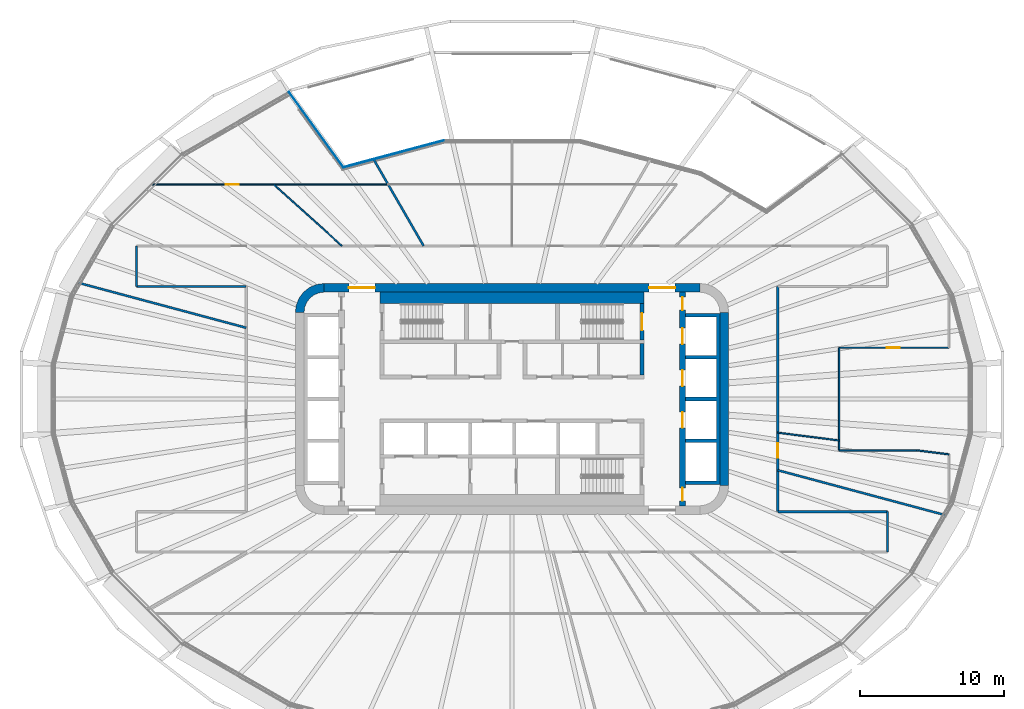
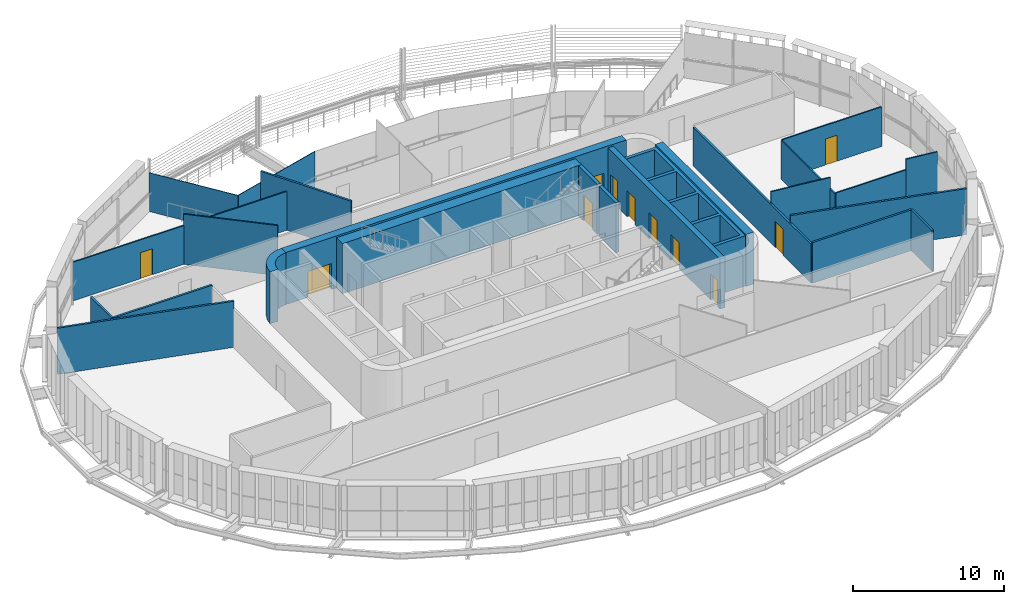
# One storey, part 15 of 24: 25 walls, 11 doors, 11 openings.
"""IFC4 building model written with IfcOpenShell, lengths in metres."""

from ifc_helpers import new_model, si_unit, direction, frame, frame_2d, origin, place, context, subcontext, project, spatial, polyline, rectangle, outline, extrude, material, layer, layer_set, type_object, element, fill, save


model = new_model("IFC4")

# Units and contexts
model_context = context("Model", 3, precision=1e-05, world=origin(), true_north=direction((0.0, 1.0)))
body_context = subcontext(model_context, "Body", "Model", "MODEL_VIEW")
ifc_project = project(units=[si_unit("LENGTHUNIT", "METRE"), si_unit("AREAUNIT", "SQUARE_METRE"), si_unit("VOLUMEUNIT", "CUBIC_METRE"), si_unit("PLANEANGLEUNIT", "RADIAN"), si_unit("MASSUNIT", "GRAM", prefix="KILO")], contexts=[model_context])

# Site, building, storey
site_placement = place(None, origin())
site = spatial("IfcSite", under=ifc_project, at=site_placement, CompositionType="ELEMENT")
building_placement = place(site_placement, origin())
building = spatial("IfcBuilding", under=site, at=building_placement, Name="Sahrelin Media Tower", CompositionType="ELEMENT")
storey_placement = place(building_placement, frame((0.0, 0.0, 123.0)))
storey = spatial("IfcBuildingStorey", under=building, at=storey_placement, Name="L24", CompositionType="ELEMENT", Elevation=123.0)

# Wall, openings, doors
ifc_material_1 = material(Name="Concrete C60/75", Category="concrete")
ifc_layer_1 = layer(ifc_material_1, 0.60009765625)
ifc_layer_set_1 = layer_set([ifc_layer_1], Name="Core wall 600")
wall_type_1 = type_object("IfcWallType", Name="Core wall 600", PredefinedType="SHEAR", material=ifc_layer_set_1)
wall_1_placement = place(storey_placement, frame((-13.0, 7.699951171875, 0.0), z_axis=(0.0, 0.0, 1.0), x_axis=(1.0, 0.0, 0.0)))
wall_1 = element("IfcWall", 1, at=wall_1_placement, inside=storey, type_object=wall_type_1, Name="Core wall N L24", PredefinedType="SHEAR", context=body_context, shape_type="SweptSolid", body=[
    extrude(rectangle(XDim=26.0, YDim=0.60009765625, at=frame_2d((13.0, 0.0))), origin(), (0.0, 0.0, 1.0), 4.199951171875),
])
opening_1_placement = place(wall_1_placement, frame((1.699951171875, 0.0, 0.0)))
opening_1 = element("IfcOpeningElement", 2, at=opening_1_placement, cuts=wall_1, Name="Opening L24-D19", PredefinedType="OPENING", context=body_context, shape_type="SweptSolid", body=[
    extrude(rectangle(XDim=1.800048828125, YDim=2.10009765625, at=frame_2d((0.89990234375, 1.050048828125))), frame((0.0, 0.300048828125, 0.0), z_axis=(0.0, -1.0, 0.0), x_axis=(1.0, 0.0, 0.0)), (0.0, 0.0, 1.0), 0.60009765625),
])
opening_2_placement = place(wall_1_placement, frame((22.5, 0.0, 0.0)))
opening_2 = element("IfcOpeningElement", 3, at=opening_2_placement, cuts=wall_1, Name="Opening L24-D20", PredefinedType="OPENING", context=body_context, shape_type="SweptSolid", body=[
    extrude(rectangle(XDim=1.800048828125, YDim=2.10009765625, at=frame_2d((0.89990234375, 1.050048828125))), frame((0.0, 0.300048828125, 0.0), z_axis=(0.0, -1.0, 0.0), x_axis=(1.0, 0.0, 0.0)), (0.0, 0.0, 1.0), 0.60009765625),
])
ifc_material_2 = material(Name="Steel fire door leaf", Category="steel")
door_type_1 = type_object("IfcDoorType", Name="Lobby double door 1800 x 2100 EI 60", OperationType="DOUBLE_DOOR_SINGLE_SWING", PredefinedType="DOOR", material=ifc_material_2)
door_1_placement = place(opening_1_placement, origin())
door_1 = element("IfcDoor", 4, at=door_1_placement, inside=storey, type_object=door_type_1, Name="Lobby door", OperationType="DOUBLE_DOOR_SINGLE_SWING", OverallHeight=2.10009765625, OverallWidth=1.800048828125, PredefinedType="DOOR", context=body_context, shape_type="SweptSolid", body=[
    extrude(rectangle(XDim=1.800048828125, YDim=2.10009765625, at=frame_2d((0.89990234375, 1.050048828125))), frame((0.0, 0.02490234375, 0.0), z_axis=(0.0, -1.0, 0.0), x_axis=(1.0, 0.0, 0.0)), (0.0, 0.0, 1.0), 0.050048828125),
])
fill(opening_1, door_1)
door_2_placement = place(opening_2_placement, origin())
door_2 = element("IfcDoor", 5, at=door_2_placement, inside=storey, type_object=door_type_1, Name="Lobby door", OperationType="DOUBLE_DOOR_SINGLE_SWING", OverallHeight=2.10009765625, OverallWidth=1.800048828125, PredefinedType="DOOR", context=body_context, shape_type="SweptSolid", body=[
    extrude(rectangle(XDim=1.800048828125, YDim=2.10009765625, at=frame_2d((0.89990234375, 1.050048828125))), frame((0.0, 0.02490234375, 0.0), z_axis=(0.0, -1.0, 0.0), x_axis=(1.0, 0.0, 0.0)), (0.0, 0.0, 1.0), 0.050048828125),
])
fill(opening_2, door_2)

# Walls
wall_2_placement = place(storey_placement, frame((14.699951171875, -6.0, 0.0), z_axis=(0.0, 0.0, 1.0), x_axis=(0.0, 1.0, 0.0)))
element("IfcWall", 6, at=wall_2_placement, inside=storey, type_object=wall_type_1, Name="Core wall E L24", PredefinedType="SHEAR", context=body_context, shape_type="SweptSolid", body=[
    extrude(rectangle(XDim=12.0, YDim=0.60009765625, at=frame_2d((6.0, 0.0))), origin(), (0.0, 0.0, 1.0), 4.199951171875),
])
placement = place(storey_placement, origin())
element("IfcWall", 7, at=placement, inside=storey, type_object=wall_type_1, Name="Core wall corner NW L24", PredefinedType="SHEAR", context=body_context, shape_type="SweptSolid", body=[
    extrude(outline(polyline([(-15.0, 6.0), (-14.394775390625, 6.0), (-14.347412109375, 6.361083984375), (-14.2080078125, 6.697509765625), (-13.986328125, 6.986328125), (-13.697509765625, 7.2080078125), (-13.361083984375, 7.347412109375), (-13.0, 7.394775390625), (-13.0, 8.0), (-13.517578125, 7.931884765625), (-14.0, 7.732177734375), (-14.414306640625, 7.414306640625), (-14.732177734375, 7.0), (-14.931884765625, 6.517578125), (-15.0, 6.0)])), origin(), (0.0, 0.0, 1.0), 4.199951171875),
])
ifc_material_3 = material(Name="Fire-rated gypsum board partition")
ifc_layer_2 = layer(ifc_material_3, 0.25)
ifc_layer_set_2 = layer_set([ifc_layer_2], Name="Fire-rated lobby wall 250")
wall_type_2 = type_object("IfcWallType", Name="Fire-rated lobby wall 250", PredefinedType="PARTITIONING", material=ifc_layer_set_2)
wall_4_placement = place(storey_placement, frame((9.0, 1.64990234375, 0.0), z_axis=(0.0, 0.0, 1.0), x_axis=(0.0, 1.0, 0.0)))
element("IfcWall", 8, at=wall_4_placement, inside=storey, type_object=wall_type_2, Name="Core lobby wall", PredefinedType="PARTITIONING", context=body_context, shape_type="SweptSolid", body=[
    extrude(rectangle(XDim=2.2001953125, YDim=0.25, at=frame_2d((1.10009765625, 0.0))), origin(), (0.0, 0.0, 1.0), 4.050048828125),
])
ifc_layer_3 = layer(ifc_material_3, 0.14990234375)
ifc_layer_set_3 = layer_set([ifc_layer_3], Name="Fire-rated partition 150")
wall_type_3 = type_object("IfcWallType", Name="Fire-rated partition 150", PredefinedType="PARTITIONING", material=ifc_layer_set_3)
wall_5_placement = place(storey_placement, frame((-9.58203125, 16.596923828125, 0.0), z_axis=(0.0, 0.0, 1.0), x_axis=(0.500014420154, -0.866017078145, 0.0)))
element("IfcWall", 9, at=wall_5_placement, inside=storey, type_object=wall_type_3, Name="Wall", PredefinedType="PARTITIONING", context=body_context, shape_type="SweptSolid", body=[
    extrude(rectangle(XDim=6.924560546875, YDim=0.14990234375, at=frame_2d((3.46240234375, 0.0))), origin(), (0.0, 0.0, 1.0), 4.050048828125),
])
for number, where, z_axis, x_axis, name in (
    (10, (-30.053955078125, 8.052978515625, 0.0), (0.0, 0.0, 1.0), (0.96591851449, -0.258846331567, 0.0), "Wall"),
    (11, (18.39990234375, -4.929931640625, 0.0), (0.0, 0.0, 1.0), (0.96591851449, -0.258846331567, 0.0), "Wall"),
):
    element("IfcWall", number, at=place(storey_placement, frame(where, z_axis=z_axis, x_axis=x_axis)), inside=storey, type_object=wall_type_3, Name=name, PredefinedType="PARTITIONING", context=body_context, shape_type="SweptSolid", body=[
        extrude(rectangle(XDim=12.065185546875, YDim=0.14990234375, at=frame_2d((6.03271484375, 0.0))), origin(), (0.0, 0.0, 1.0), 3.7265625),
    ])
for number, where, z_axis, x_axis, name in (
    (12, (18.39990234375, -7.800048828125, 0.0), (0.0, 0.0, 1.0), (1.0, 0.0, 0.0), "Wall"),
    (13, (-26.0, 7.800048828125, 0.0), (0.0, 0.0, 1.0), (1.0, 0.0, 0.0), "Wall"),
):
    element("IfcWall", number, at=place(storey_placement, frame(where, z_axis=z_axis, x_axis=x_axis)), inside=storey, type_object=wall_type_3, Name=name, PredefinedType="PARTITIONING", context=body_context, shape_type="SweptSolid", body=[
        extrude(rectangle(XDim=7.60009765625, YDim=0.14990234375, at=frame_2d((3.800048828125, 0.0))), origin(), (0.0, 0.0, 1.0), 3.27587890625),
    ])
wall_6_placement = place(storey_placement, frame((26.0, -10.60009765625, 0.0), z_axis=(0.0, 0.0, 1.0), x_axis=(0.0, 1.0, 0.0)))
element("IfcWall", 14, at=wall_6_placement, inside=storey, type_object=wall_type_3, Name="Wall", PredefinedType="PARTITIONING", context=body_context, shape_type="SweptSolid", body=[
    extrude(rectangle(XDim=2.800048828125, YDim=0.14990234375, at=frame_2d((1.39990234375, 0.0))), origin(), (0.0, 0.0, 1.0), 3.27587890625),
])

# Wall, opening, door
wall_7_placement = place(storey_placement, frame((18.39990234375, -7.800048828125, 0.0), z_axis=(0.0, 0.0, 1.0), x_axis=(0.0, 1.0, 0.0)))
wall_7 = element("IfcWall", 15, at=wall_7_placement, inside=storey, type_object=wall_type_3, Name="Wall", PredefinedType="PARTITIONING", context=body_context, shape_type="SweptSolid", body=[
    extrude(rectangle(XDim=15.60009765625, YDim=0.14990234375, at=frame_2d((7.800048828125, 0.0))), origin(), (0.0, 0.0, 1.0), 3.1181640625),
])
opening_3_placement = place(wall_7_placement, frame((3.7353515625, 0.0, 0.0)))
opening_3 = element("IfcOpeningElement", 16, at=opening_3_placement, cuts=wall_7, Name="Opening L24-D29", PredefinedType="OPENING", context=body_context, shape_type="SweptSolid", body=[
    extrude(rectangle(XDim=1.0, YDim=2.10009765625, at=frame_2d((0.5, 1.050048828125))), frame((0.0, 0.074951171875, 0.0), z_axis=(0.0, -1.0, 0.0), x_axis=(1.0, 0.0, 0.0)), (0.0, 0.0, 1.0), 0.14990234375),
])
door_type_2 = type_object("IfcDoorType", Name="Fire door 1000 x 2100 EI 60", OperationType="NOTDEFINED", PredefinedType="DOOR", material=ifc_material_2)
door_3_placement = place(opening_3_placement, origin())
door_3 = element("IfcDoor", 17, at=door_3_placement, inside=storey, type_object=door_type_2, Name="Fire door", OperationType="SINGLE_SWING_LEFT", OverallHeight=2.10009765625, OverallWidth=1.0, PredefinedType="DOOR", context=body_context, shape_type="SweptSolid", body=[
    extrude(rectangle(XDim=1.0, YDim=2.10009765625, at=frame_2d((0.5, 1.050048828125))), frame((0.0, 0.02490234375, 0.0), z_axis=(0.0, -1.0, 0.0), x_axis=(1.0, 0.0, 0.0)), (0.0, 0.0, 1.0), 0.050048828125),
])
fill(opening_3, door_3)

# Walls
wall_8_placement = place(storey_placement, frame((-26.0, 7.800048828125, 0.0), z_axis=(0.0, 0.0, 1.0), x_axis=(0.0, 1.0, 0.0)))
element("IfcWall", 18, at=wall_8_placement, inside=storey, type_object=wall_type_3, Name="Wall", PredefinedType="PARTITIONING", context=body_context, shape_type="SweptSolid", body=[
    extrude(rectangle(XDim=2.800048828125, YDim=0.14990234375, at=frame_2d((1.39990234375, 0.0))), origin(), (0.0, 0.0, 1.0), 3.27587890625),
])
ifc_material_4 = material(Name="Clear glass", Category="glass")
ifc_layer_4 = layer(ifc_material_4, 0.050048828125)
ifc_layer_set_4 = layer_set([ifc_layer_4], Name="Glazed partition 50")
wall_type_4 = type_object("IfcWallType", Name="Glazed partition 50", PredefinedType="PARTITIONING", material=ifc_layer_set_4)
wall_9_placement = place(storey_placement, frame((-15.43505859375, 21.239990234375, 0.0), z_axis=(0.0, 0.0, 1.0), x_axis=(0.587866723906, -0.808957795514, 0.0)))
element("IfcWall", 19, at=wall_9_placement, inside=storey, type_object=wall_type_4, Name="Wall", PredefinedType="PARTITIONING", context=body_context, shape_type="SweptSolid", body=[
    extrude(rectangle(XDim=6.4267578125, YDim=0.050048828125, at=frame_2d((3.21337890625, 0.0))), origin(), (0.0, 0.0, 1.0), 3.126953125),
])
wall_10_placement = place(storey_placement, frame((-11.656982421875, 16.041015625, 0.0), z_axis=(0.0, 0.0, 1.0), x_axis=(0.965916924206, 0.258852265845, 0.0)))
element("IfcWall", 20, at=wall_10_placement, inside=storey, type_object=wall_type_4, Name="Wall", PredefinedType="PARTITIONING", context=body_context, shape_type="SweptSolid", body=[
    extrude(rectangle(XDim=7.177490234375, YDim=0.050048828125, at=frame_2d((3.5888671875, 0.0))), origin(), (0.0, 0.0, 1.0), 3.126953125),
])
ifc_layer_5 = layer(ifc_material_1, 0.25)
ifc_layer_set_5 = layer_set([ifc_layer_5], Name="Lift shaft wall 250")
wall_type_5 = type_object("IfcWallType", Name="Lift shaft wall 250", PredefinedType="SOLIDWALL", material=ifc_layer_set_5)
element("IfcWall", 21, at=placement, inside=storey, type_object=wall_type_5, Name="Lift shaft wall", PredefinedType="SOLIDWALL", context=body_context, shape_type="SweptSolid", body=[
    extrude(outline(polyline([(12.0, -5.675048828125), (12.0, -5.925048828125), (14.14990234375, -5.925048828125), (14.39990234375, -5.925048828125), (14.39990234375, -5.675048828125), (14.39990234375, -3.02490234375), (14.39990234375, -2.77490234375), (14.39990234375, -0.125), (14.39990234375, 0.125), (14.39990234375, 2.77490234375), (14.39990234375, 3.02490234375), (14.39990234375, 5.675048828125), (14.39990234375, 5.925048828125), (14.14990234375, 5.925048828125), (12.0, 5.925048828125), (12.0, 5.675048828125), (14.14990234375, 5.675048828125), (14.14990234375, 3.02490234375), (12.0, 3.02490234375), (12.0, 2.77490234375), (14.14990234375, 2.77490234375), (14.14990234375, 0.125), (12.0, 0.125), (12.0, -0.125), (14.14990234375, -0.125), (14.14990234375, -2.77490234375), (12.0, -2.77490234375), (12.0, -3.02490234375), (14.14990234375, -3.02490234375), (14.14990234375, -5.675048828125), (12.0, -5.675048828125)])), origin(), (0.0, 0.0, 1.0), 4.050048828125),
])

# Wall, openings, doors
ifc_layer_6 = layer(ifc_material_1, 0.39990234375)
ifc_layer_set_6 = layer_set([ifc_layer_6], Name="Lift shaft wall 400")
wall_type_6 = type_object("IfcWallType", Name="Lift shaft wall 400", PredefinedType="SOLIDWALL", material=ifc_layer_set_6)
wall_12_placement = place(storey_placement, frame((11.800048828125, -7.39990234375, 0.0), z_axis=(0.0, 0.0, 1.0), x_axis=(0.0, 1.0, 0.0)))
wall_12 = element("IfcWall", 22, at=wall_12_placement, inside=storey, type_object=wall_type_6, Name="Lift shaft wall", PredefinedType="SOLIDWALL", context=body_context, shape_type="SweptSolid", body=[
    extrude(rectangle(XDim=14.7998046875, YDim=0.39990234375, at=frame_2d((7.39990234375, 0.0))), origin(), (0.0, 0.0, 1.0), 4.050048828125),
])
opening_4_placement = place(wall_12_placement, frame((11.199951171875, 0.0, 0.0)))
opening_4 = element("IfcOpeningElement", 23, at=opening_4_placement, cuts=wall_12, Name="Opening L24-LD-LR4", PredefinedType="OPENING", context=body_context, shape_type="SweptSolid", body=[
    extrude(rectangle(XDim=1.10009765625, YDim=2.10009765625, at=frame_2d((0.550048828125, 1.050048828125))), frame((0.0, 0.199951171875, 0.0), z_axis=(0.0, -1.0, 0.0), x_axis=(1.0, 0.0, 0.0)), (0.0, 0.0, 1.0), 0.39990234375),
])
opening_5_placement = place(wall_12_placement, frame((8.300048828125, 0.0, 0.0)))
opening_5 = element("IfcOpeningElement", 24, at=opening_5_placement, cuts=wall_12, Name="Opening L24-LD-LR5", PredefinedType="OPENING", context=body_context, shape_type="SweptSolid", body=[
    extrude(rectangle(XDim=1.10009765625, YDim=2.10009765625, at=frame_2d((0.550048828125, 1.050048828125))), frame((0.0, 0.199951171875, 0.0), z_axis=(0.0, -1.0, 0.0), x_axis=(1.0, 0.0, 0.0)), (0.0, 0.0, 1.0), 0.39990234375),
])
opening_6_placement = place(wall_12_placement, frame((5.39990234375, 0.0, 0.0)))
opening_6 = element("IfcOpeningElement", 25, at=opening_6_placement, cuts=wall_12, Name="Opening L24-LD-LR6", PredefinedType="OPENING", context=body_context, shape_type="SweptSolid", body=[
    extrude(rectangle(XDim=1.10009765625, YDim=2.10009765625, at=frame_2d((0.550048828125, 1.050048828125))), frame((0.0, 0.199951171875, 0.0), z_axis=(0.0, -1.0, 0.0), x_axis=(1.0, 0.0, 0.0)), (0.0, 0.0, 1.0), 0.39990234375),
])
opening_7_placement = place(wall_12_placement, frame((13.552490234375, 0.0, 0.0)))
opening_7 = element("IfcOpeningElement", 26, at=opening_7_placement, cuts=wall_12, Name="Opening L24-D17", PredefinedType="OPENING", context=body_context, shape_type="SweptSolid", body=[
    extrude(rectangle(XDim=0.89990234375, YDim=2.10009765625, at=frame_2d((0.449951171875, 1.050048828125))), frame((0.0, 0.199951171875, 0.0), z_axis=(0.0, -1.0, 0.0), x_axis=(1.0, 0.0, 0.0)), (0.0, 0.0, 1.0), 0.39990234375),
])
opening_8_placement = place(wall_12_placement, frame((0.347412109375, 0.0, 0.0)))
opening_8 = element("IfcOpeningElement", 27, at=opening_8_placement, cuts=wall_12, Name="Opening L24-D18", PredefinedType="OPENING", context=body_context, shape_type="SweptSolid", body=[
    extrude(rectangle(XDim=0.89990234375, YDim=2.10009765625, at=frame_2d((0.449951171875, 1.050048828125))), frame((0.0, 0.199951171875, 0.0), z_axis=(0.0, -1.0, 0.0), x_axis=(1.0, 0.0, 0.0)), (0.0, 0.0, 1.0), 0.39990234375),
])
ifc_material_5 = material(Name="Stainless steel", Category="steel")
door_type_3 = type_object("IfcDoorType", Name="Lift landing door 1100 x 2100 EI 120", OperationType="DOUBLE_DOOR_SLIDING", PredefinedType="DOOR", material=ifc_material_5)
door_4_placement = place(opening_4_placement, origin())
door_4 = element("IfcDoor", 28, at=door_4_placement, inside=storey, type_object=door_type_3, Name="Lift landing door LR4", OperationType="DOUBLE_DOOR_SLIDING", OverallHeight=2.10009765625, OverallWidth=1.10009765625, PredefinedType="DOOR", context=body_context, shape_type="SweptSolid", body=[
    extrude(rectangle(XDim=1.10009765625, YDim=2.10009765625, at=frame_2d((0.550048828125, 1.050048828125))), frame((0.0, 0.02490234375, 0.0), z_axis=(0.0, -1.0, 0.0), x_axis=(1.0, 0.0, 0.0)), (0.0, 0.0, 1.0), 0.050048828125),
])
fill(opening_4, door_4)
door_5_placement = place(opening_5_placement, origin())
door_5 = element("IfcDoor", 29, at=door_5_placement, inside=storey, type_object=door_type_3, Name="Lift landing door LR5", OperationType="DOUBLE_DOOR_SLIDING", OverallHeight=2.10009765625, OverallWidth=1.10009765625, PredefinedType="DOOR", context=body_context, shape_type="SweptSolid", body=[
    extrude(rectangle(XDim=1.10009765625, YDim=2.10009765625, at=frame_2d((0.550048828125, 1.050048828125))), frame((0.0, 0.02490234375, 0.0), z_axis=(0.0, -1.0, 0.0), x_axis=(1.0, 0.0, 0.0)), (0.0, 0.0, 1.0), 0.050048828125),
])
fill(opening_5, door_5)
door_6_placement = place(opening_6_placement, origin())
door_6 = element("IfcDoor", 30, at=door_6_placement, inside=storey, type_object=door_type_3, Name="Lift landing door LR6", OperationType="DOUBLE_DOOR_SLIDING", OverallHeight=2.10009765625, OverallWidth=1.10009765625, PredefinedType="DOOR", context=body_context, shape_type="SweptSolid", body=[
    extrude(rectangle(XDim=1.10009765625, YDim=2.10009765625, at=frame_2d((0.550048828125, 1.050048828125))), frame((0.0, 0.02490234375, 0.0), z_axis=(0.0, -1.0, 0.0), x_axis=(1.0, 0.0, 0.0)), (0.0, 0.0, 1.0), 0.050048828125),
])
fill(opening_6, door_6)
door_type_4 = type_object("IfcDoorType", Name="Riser door 900 x 2100 EI 120", OperationType="NOTDEFINED", PredefinedType="DOOR", material=ifc_material_2)
door_7_placement = place(opening_7_placement, origin())
door_7 = element("IfcDoor", 31, at=door_7_placement, inside=storey, type_object=door_type_4, Name="Riser door", OperationType="SINGLE_SWING_RIGHT", OverallHeight=2.10009765625, OverallWidth=0.89990234375, PredefinedType="DOOR", context=body_context, shape_type="SweptSolid", body=[
    extrude(rectangle(XDim=0.89990234375, YDim=2.10009765625, at=frame_2d((0.449951171875, 1.050048828125))), frame((0.0, 0.02490234375, 0.0), z_axis=(0.0, -1.0, 0.0), x_axis=(1.0, 0.0, 0.0)), (0.0, 0.0, 1.0), 0.050048828125),
])
fill(opening_7, door_7)
door_8_placement = place(opening_8_placement, origin())
door_8 = element("IfcDoor", 32, at=door_8_placement, inside=storey, type_object=door_type_4, Name="Riser door", OperationType="SINGLE_SWING_RIGHT", OverallHeight=2.10009765625, OverallWidth=0.89990234375, PredefinedType="DOOR", context=body_context, shape_type="SweptSolid", body=[
    extrude(rectangle(XDim=0.89990234375, YDim=2.10009765625, at=frame_2d((0.449951171875, 1.050048828125))), frame((0.0, 0.02490234375, 0.0), z_axis=(0.0, -1.0, 0.0), x_axis=(1.0, 0.0, 0.0)), (0.0, 0.0, 1.0), 0.050048828125),
])
fill(opening_8, door_8)

# Walls
ifc_material_6 = material(Name="Gypsum board partition")
ifc_layer_7 = layer(ifc_material_6, 0.10009765625)
ifc_layer_set_7 = layer_set([ifc_layer_7], Name="Partition 100")
wall_type_7 = type_object("IfcWallType", Name="Partition 100", PredefinedType="PARTITIONING", material=ifc_layer_set_7)
wall_13_placement = place(storey_placement, frame((-16.491943359375, 14.85009765625, 0.0), z_axis=(0.0, 0.0, 1.0), x_axis=(0.74313548605, -0.669140978698, 0.0)))
element("IfcWall", 33, at=wall_13_placement, inside=storey, type_object=wall_type_7, Name="Wall", PredefinedType="PARTITIONING", context=body_context, shape_type="SweptSolid", body=[
    extrude(rectangle(XDim=6.351318359375, YDim=0.10009765625, at=frame_2d((3.17578125, 0.0))), origin(), (0.0, 0.0, 1.0), 4.050048828125),
])
wall_14_placement = place(storey_placement, frame((18.39990234375, -2.33203125, 0.0), z_axis=(0.0, 0.0, 1.0), x_axis=(0.992044690644, -0.125886185756, 0.0)))
element("IfcWall", 34, at=wall_14_placement, inside=storey, type_object=wall_type_7, Name="Wall", PredefinedType="PARTITIONING", context=body_context, shape_type="SweptSolid", body=[
    extrude(rectangle(XDim=4.2841796875, YDim=0.10009765625, at=frame_2d((2.14208984375, 0.0))), origin(), (0.0, 0.0, 1.0), 4.050048828125),
])
wall_15_placement = place(storey_placement, frame((28.0048828125, -3.550048828125, 0.0), z_axis=(0.0, 0.0, 1.0), x_axis=(0.992043783592, -0.125893333564, 0.0)))
element("IfcWall", 35, at=wall_15_placement, inside=storey, type_object=wall_type_7, Name="Wall", PredefinedType="PARTITIONING", context=body_context, shape_type="SweptSolid", body=[
    extrude(rectangle(XDim=2.26318359375, YDim=0.10009765625, at=frame_2d((1.131591796875, 0.0))), origin(), (0.0, 0.0, 1.0), 4.050048828125),
])
wall_16_placement = place(storey_placement, frame((22.64990234375, -3.550048828125, 0.0), z_axis=(0.0, 0.0, 1.0), x_axis=(1.0, 0.0, 0.0)))
element("IfcWall", 36, at=wall_16_placement, inside=storey, type_object=wall_type_7, Name="Wall", PredefinedType="PARTITIONING", context=body_context, shape_type="SweptSolid", body=[
    extrude(rectangle(XDim=5.35498046875, YDim=0.10009765625, at=frame_2d((2.677490234375, 0.0))), origin(), (0.0, 0.0, 1.0), 3.195068359375),
])

# Wall, opening, door
wall_17_placement = place(storey_placement, frame((22.64990234375, 3.550048828125, 0.0), z_axis=(0.0, 0.0, 1.0), x_axis=(1.0, 0.0, 0.0)))
wall_17 = element("IfcWall", 37, at=wall_17_placement, inside=storey, type_object=wall_type_7, Name="Wall", PredefinedType="PARTITIONING", context=body_context, shape_type="SweptSolid", body=[
    extrude(rectangle(XDim=7.60009765625, YDim=0.10009765625, at=frame_2d((3.800048828125, 0.0))), origin(), (0.0, 0.0, 1.0), 3.195068359375),
])
opening_9_placement = place(wall_17_placement, frame((3.300048828125, 0.0, 0.0)))
opening_9 = element("IfcOpeningElement", 38, at=opening_9_placement, cuts=wall_17, Name="Opening L24-D33", PredefinedType="OPENING", context=body_context, shape_type="SweptSolid", body=[
    extrude(rectangle(XDim=0.89990234375, YDim=2.10009765625, at=frame_2d((0.449951171875, 1.050048828125))), frame((0.0, 0.050048828125, 0.0), z_axis=(0.0, -1.0, 0.0), x_axis=(1.0, 0.0, 0.0)), (0.0, 0.0, 1.0), 0.10009765625),
])
ifc_material_7 = material(Name="Timber door leaf", Category="wood")
door_type_5 = type_object("IfcDoorType", Name="Single door 900 x 2100", OperationType="NOTDEFINED", PredefinedType="DOOR", material=ifc_material_7)
door_9_placement = place(opening_9_placement, origin())
door_9 = element("IfcDoor", 39, at=door_9_placement, inside=storey, type_object=door_type_5, Name="Single door", OperationType="SINGLE_SWING_RIGHT", OverallHeight=2.10009765625, OverallWidth=0.89990234375, PredefinedType="DOOR", context=body_context, shape_type="SweptSolid", body=[
    extrude(rectangle(XDim=0.89990234375, YDim=2.10009765625, at=frame_2d((0.449951171875, 1.050048828125))), frame((0.0, 0.02490234375, 0.0), z_axis=(0.0, -1.0, 0.0), x_axis=(1.0, 0.0, 0.0)), (0.0, 0.0, 1.0), 0.050048828125),
])
fill(opening_9, door_9)

wall_18_placement = place(storey_placement, frame((-24.962890625, 14.85009765625, 0.0), z_axis=(0.0, 0.0, 1.0), x_axis=(1.0, 0.0, 0.0)))
wall_18 = element("IfcWall", 40, at=wall_18_placement, inside=storey, type_object=wall_type_7, Name="Wall", PredefinedType="PARTITIONING", context=body_context, shape_type="SweptSolid", body=[
    extrude(rectangle(XDim=16.389892578125, YDim=0.10009765625, at=frame_2d((8.19482421875, 0.0))), origin(), (0.0, 0.0, 1.0), 3.126953125),
])
opening_10_placement = place(wall_18_placement, frame((5.150634765625, 0.0, 0.0)))
opening_10 = element("IfcOpeningElement", 41, at=opening_10_placement, cuts=wall_18, Name="Opening L24-D40", PredefinedType="OPENING", context=body_context, shape_type="SweptSolid", body=[
    extrude(rectangle(XDim=0.89990234375, YDim=2.10009765625, at=frame_2d((0.449951171875, 1.050048828125))), frame((0.0, 0.050048828125, 0.0), z_axis=(0.0, -1.0, 0.0), x_axis=(1.0, 0.0, 0.0)), (0.0, 0.0, 1.0), 0.10009765625),
])
door_10_placement = place(opening_10_placement, origin())
door_10 = element("IfcDoor", 42, at=door_10_placement, inside=storey, type_object=door_type_5, Name="Single door", OperationType="SINGLE_SWING_RIGHT", OverallHeight=2.10009765625, OverallWidth=0.89990234375, PredefinedType="DOOR", context=body_context, shape_type="SweptSolid", body=[
    extrude(rectangle(XDim=0.89990234375, YDim=2.10009765625, at=frame_2d((0.449951171875, 1.050048828125))), frame((0.0, 0.02490234375, 0.0), z_axis=(0.0, -1.0, 0.0), x_axis=(1.0, 0.0, 0.0)), (0.0, 0.0, 1.0), 0.050048828125),
])
fill(opening_10, door_10)

# Wall
wall_19_placement = place(storey_placement, frame((22.64990234375, -3.550048828125, 0.0), z_axis=(0.0, 0.0, 1.0), x_axis=(0.0, 1.0, 0.0)))
element("IfcWall", 43, at=wall_19_placement, inside=storey, type_object=wall_type_7, Name="Wall", PredefinedType="PARTITIONING", context=body_context, shape_type="SweptSolid", body=[
    extrude(rectangle(XDim=7.10009765625, YDim=0.10009765625, at=frame_2d((3.550048828125, 0.0))), origin(), (0.0, 0.0, 1.0), 3.1181640625),
])

# Wall, opening, door
ifc_layer_8 = layer(ifc_material_1, 0.25)
ifc_layer_set_8 = layer_set([ifc_layer_8], Name="Stair enclosure wall 250")
wall_type_8 = type_object("IfcWallType", Name="Stair enclosure wall 250", PredefinedType="SOLIDWALL", material=ifc_layer_set_8)
wall_20_placement = place(storey_placement, frame((9.0, 4.10009765625, 0.0), z_axis=(0.0, 0.0, 1.0), x_axis=(0.0, 1.0, 0.0)))
wall_20 = element("IfcWall", 44, at=wall_20_placement, inside=storey, type_object=wall_type_8, Name="Stair enclosure wall", PredefinedType="SOLIDWALL", context=body_context, shape_type="SweptSolid", body=[
    extrude(rectangle(XDim=2.5, YDim=0.25, at=frame_2d((1.25, 0.0))), origin(), (0.0, 0.0, 1.0), 4.050048828125),
])
opening_11_placement = place(wall_20_placement, frame((0.64990234375, 0.0, 0.0)))
opening_11 = element("IfcOpeningElement", 45, at=opening_11_placement, cuts=wall_20, Name="Opening L24-D02", PredefinedType="OPENING", context=body_context, shape_type="SweptSolid", body=[
    extrude(rectangle(XDim=1.199951171875, YDim=2.10009765625, at=frame_2d((0.60009765625, 1.050048828125))), frame((0.0, 0.125, 0.0), z_axis=(0.0, -1.0, 0.0), x_axis=(1.0, 0.0, 0.0)), (0.0, 0.0, 1.0), 0.25),
])
door_type_6 = type_object("IfcDoorType", Name="Stair door 1200 x 2100 EI 120", OperationType="NOTDEFINED", PredefinedType="DOOR", material=ifc_material_2)
door_11_placement = place(opening_11_placement, origin())
door_11 = element("IfcDoor", 46, at=door_11_placement, inside=storey, type_object=door_type_6, Name="Stair door ST3", OperationType="SINGLE_SWING_LEFT", OverallHeight=2.10009765625, OverallWidth=1.199951171875, PredefinedType="DOOR", context=body_context, shape_type="SweptSolid", body=[
    extrude(rectangle(XDim=1.199951171875, YDim=2.10009765625, at=frame_2d((0.60009765625, 1.050048828125))), frame((0.0, 0.02490234375, 0.0), z_axis=(0.0, -1.0, 0.0), x_axis=(1.0, 0.0, 0.0)), (0.0, 0.0, 1.0), 0.050048828125),
])
fill(opening_11, door_11)

# Wall
ifc_layer_9 = layer(ifc_material_1, 0.800048828125)
ifc_layer_set_9 = layer_set([ifc_layer_9], Name="Stair enclosure wall 800")
wall_type_9 = type_object("IfcWallType", Name="Stair enclosure wall 800", PredefinedType="SOLIDWALL", material=ifc_layer_set_9)
wall_21_placement = place(storey_placement, frame((-9.125, 7.0, 0.0), z_axis=(0.0, 0.0, 1.0), x_axis=(1.0, 0.0, 0.0)))
element("IfcWall", 47, at=wall_21_placement, inside=storey, type_object=wall_type_9, Name="Stair enclosure wall", PredefinedType="SOLIDWALL", context=body_context, shape_type="SweptSolid", body=[
    extrude(rectangle(XDim=18.25, YDim=0.800048828125, at=frame_2d((9.125, 0.0))), origin(), (0.0, 0.0, 1.0), 4.050048828125),
])

save(model, "model.ifc")
